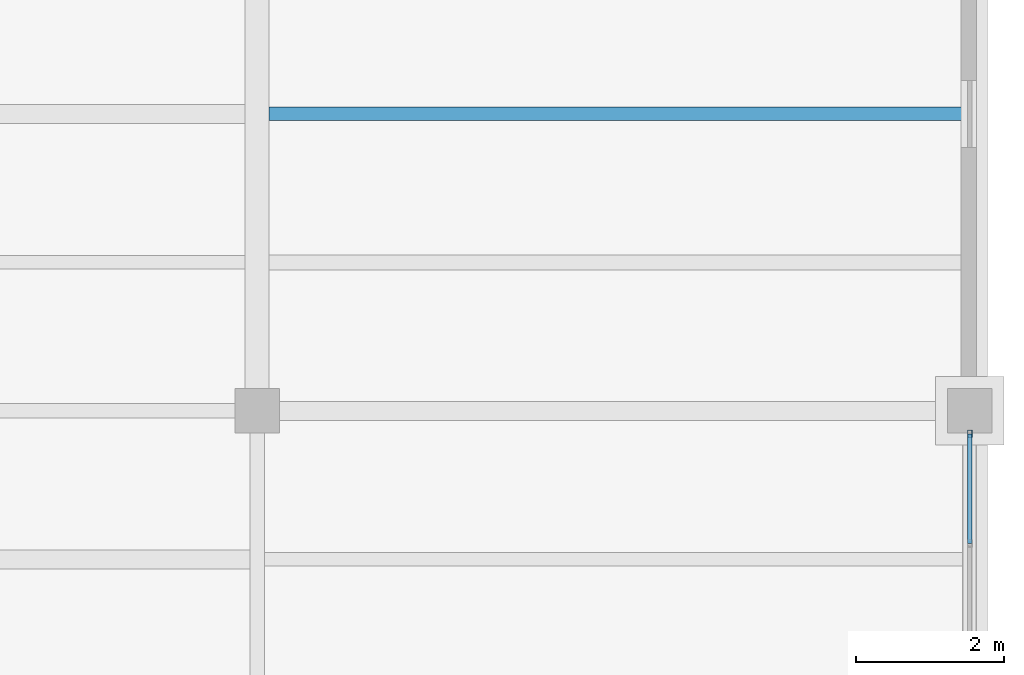
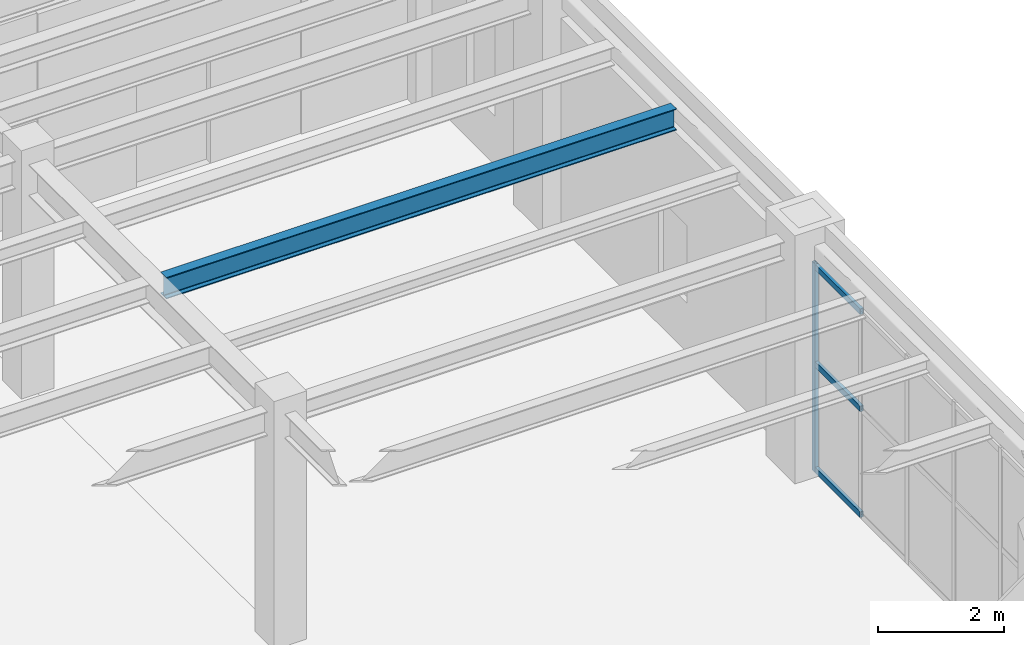
# One storey, part 40 of 83: 4 members, 1 beam, 1 element without a shape of its own.
"""IFC4 building model written with IfcOpenShell, lengths in metres."""

from ifc_helpers import new_model, si_unit, direction, frame, origin, origin_2d, place, context, subcontext, project, spatial, hollow_rectangle, i_section, extrude, material, material_profile, profile_set, type_object, element, aggregate, save


model = new_model("IFC4")

# Units and contexts
model_context = context("Model", 3, precision=1e-05, world=origin(), true_north=direction((0.0, 1.0)))
body_context = subcontext(model_context, "Body", "Model", "MODEL_VIEW")
ifc_project = project(units=[si_unit("LENGTHUNIT", "METRE"), si_unit("AREAUNIT", "SQUARE_METRE"), si_unit("VOLUMEUNIT", "CUBIC_METRE"), si_unit("PLANEANGLEUNIT", "RADIAN"), si_unit("MASSUNIT", "GRAM", prefix="KILO")], contexts=[model_context])

# Site, building, storey
site_placement = place(None, origin())
site = spatial("IfcSite", under=ifc_project, at=site_placement, CompositionType="ELEMENT")
building_placement = place(site_placement, origin())
building = spatial("IfcBuilding", under=site, at=building_placement, Name="Mavantir Sound Aquarium", CompositionType="ELEMENT")
storey_placement = place(building_placement, frame((0.0, 0.0, 10.5)))
storey = spatial("IfcBuildingStorey", under=building, at=storey_placement, Name="L02", CompositionType="ELEMENT", Elevation=10.5)

# Beam
ifc_material_1 = material(Name="Structural Steel ASTM A992 Gr50", Category="steel")
ifc_material_profile_1 = material_profile(ifc_material_1, i_section(OverallWidth=0.180908203125, OverallDepth=0.4169921875, WebThickness=0.010986328125, FlangeThickness=0.018310546875, FilletRadius=0.014892578125, at=origin_2d()), Name="W410X85")
ifc_profile_set_1 = profile_set([ifc_material_profile_1], Name="Structural Steel ASTM A992 Gr50")
beam_type = type_object("IfcBeamType", Name="BM-W410X85-I", PredefinedType="JOIST", material=ifc_profile_set_1)
beam_placement = place(storey_placement, frame((165.761962890625, 52.800048828125, 4.277587890625), z_axis=(1.0, 0.0, 0.0), x_axis=(0.0, 1.0, 0.0)))
element("IfcBeam", 1, at=beam_placement, inside=storey, type_object=beam_type, Name="L02 secondary floor joist SJ-41 925", PredefinedType="JOIST", context=body_context, shape_type="SweptSolid", body=[
    extrude(i_section(OverallWidth=0.180908203125, OverallDepth=0.4169921875, WebThickness=0.010986328125, FlangeThickness=0.018310546875, FilletRadius=0.014892578125, at=origin_2d()), origin(), (0.0, 0.0, 1.0), 9.338134765625),
])

# Curtain wall, members
ifc_material_2 = material(Name="Anodised Marine Aluminium and Low-E Glass", Category="aluminium")
curtain_wall_type = type_object("IfcCurtainWallType", Name="CW-T19", PredefinedType="USERDEFINED", material=ifc_material_2)
curtain_wall_placement = place(storey_placement, origin())
curtain_wall = element("IfcCurtainWall", 2, at=curtain_wall_placement, inside=storey, type_object=curtain_wall_type, Name="L02 unitised curtain wall CW-19 139", ObjectType="UNITISED GLAZING", PredefinedType="USERDEFINED")
ifc_material_3 = material(Name="Anodised Marine Aluminium 6063-T6", Category="aluminium")
ifc_material_profile_2 = material_profile(ifc_material_3, hollow_rectangle(XDim=0.06005859375, YDim=0.10009765625, WallThickness=0.00390625, at=origin_2d()), Name="ALU-MULLION-100X60")
ifc_profile_set_2 = profile_set([ifc_material_profile_2], Name="Anodised Marine Aluminium 6063-T6")
member_type_1 = type_object("IfcMemberType", Name="CW-MUL-100", PredefinedType="MULLION", material=ifc_profile_set_2)
member_1_placement = place(storey_placement, frame((175.199951171875, 48.491943359375, 0.0), z_axis=(0.0, 0.0, 1.0), x_axis=(1.0, 0.0, 0.0)))
member_1 = element("IfcMember", 3, at=member_1_placement, type_object=member_type_1, Name="CW-L02-139 vertical mullion 6", PredefinedType="MULLION", context=body_context, shape_type="SweptSolid", body=[
    extrude(hollow_rectangle(XDim=0.06005859375, YDim=0.10009765625, WallThickness=0.00390625, at=origin_2d()), origin(), (0.0, 0.0, 1.0), 4.0390625),
])
ifc_material_profile_3 = material_profile(ifc_material_3, hollow_rectangle(XDim=0.06005859375, YDim=0.110107421875, WallThickness=0.00390625, at=origin_2d()), Name="ALU-TRANSOM-110X60")
ifc_profile_set_3 = profile_set([ifc_material_profile_3], Name="Anodised Marine Aluminium 6063-T6")
member_type_2 = type_object("IfcMemberType", Name="CW-TRN-110", PredefinedType="USERDEFINED", material=ifc_profile_set_3)
member_2_placement = place(storey_placement, frame((175.199951171875, 47.01513671875, 0.054931640625), z_axis=(0.0, 1.0, 0.0), x_axis=(-1.0, 0.0, 0.0)))
member_2 = element("IfcMember", 4, at=member_2_placement, type_object=member_type_2, Name="CW-L02-139 transom 5.1", ObjectType="TRANSOM", PredefinedType="USERDEFINED", context=body_context, shape_type="SweptSolid", body=[
    extrude(hollow_rectangle(XDim=0.06005859375, YDim=0.110107421875, WallThickness=0.00390625, at=origin_2d()), origin(), (0.0, 0.0, 1.0), 1.476806640625),
])
member_3_placement = place(storey_placement, frame((175.199951171875, 47.01513671875, 2.100341796875), z_axis=(0.0, 1.0, 0.0), x_axis=(-1.0, 0.0, 0.0)))
member_3 = element("IfcMember", 5, at=member_3_placement, type_object=member_type_2, Name="CW-L02-139 transom 5.2", ObjectType="TRANSOM", PredefinedType="USERDEFINED", context=body_context, shape_type="SweptSolid", body=[
    extrude(hollow_rectangle(XDim=0.06005859375, YDim=0.110107421875, WallThickness=0.00390625, at=origin_2d()), origin(), (0.0, 0.0, 1.0), 1.476806640625),
])
member_4_placement = place(storey_placement, frame((175.199951171875, 47.01513671875, 3.98388671875), z_axis=(0.0, 1.0, 0.0), x_axis=(-1.0, 0.0, 0.0)))
member_4 = element("IfcMember", 6, at=member_4_placement, type_object=member_type_2, Name="CW-L02-139 transom 5.3", ObjectType="TRANSOM", PredefinedType="USERDEFINED", context=body_context, shape_type="SweptSolid", body=[
    extrude(hollow_rectangle(XDim=0.06005859375, YDim=0.110107421875, WallThickness=0.00390625, at=origin_2d()), origin(), (0.0, 0.0, 1.0), 1.476806640625),
])
aggregate(curtain_wall, [member_1, member_2, member_3, member_4])

save(model, "model.ifc")
